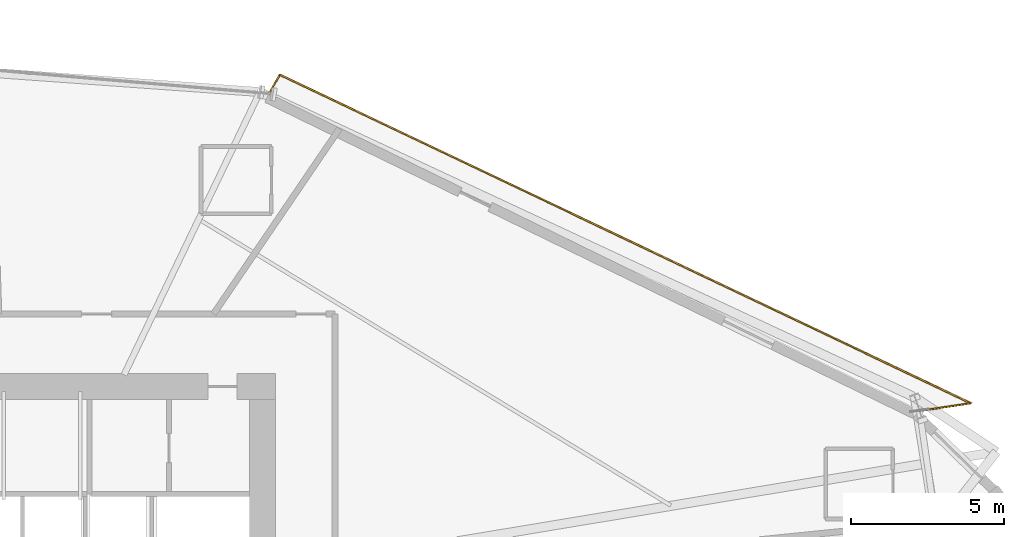
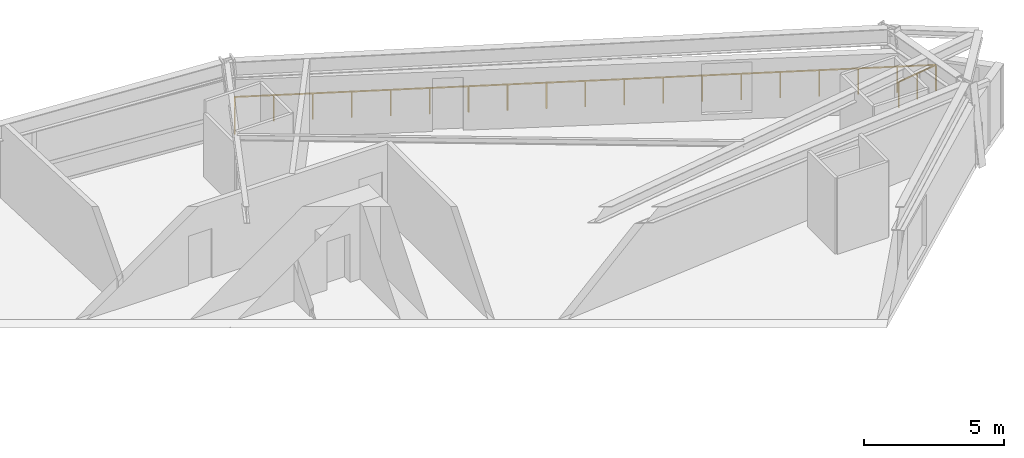
# One storey, part 21 of 21: 1 railing.
"""IFC4 building model written with IfcOpenShell, lengths in metres."""

from ifc_helpers import new_model, si_unit, direction, frame, origin, origin_2d, place, context, subcontext, project, spatial, rectangle, extrude, material, type_object, element, save


model = new_model("IFC4")

# Units and contexts
model_context = context("Model", 3, precision=1e-05, world=origin(), true_north=direction((0.0, 1.0)))
body_context = subcontext(model_context, "Body", "Model", "MODEL_VIEW")
ifc_project = project(units=[si_unit("LENGTHUNIT", "METRE"), si_unit("AREAUNIT", "SQUARE_METRE"), si_unit("VOLUMEUNIT", "CUBIC_METRE"), si_unit("PLANEANGLEUNIT", "RADIAN"), si_unit("MASSUNIT", "GRAM", prefix="KILO")], contexts=[model_context])

# Site, building, storey
site_placement = place(None, origin())
site = spatial("IfcSite", under=ifc_project, at=site_placement, CompositionType="ELEMENT")
building_placement = place(site_placement, origin())
building = spatial("IfcBuilding", under=site, at=building_placement, Name="Olszyna Solenne Hotel", CompositionType="ELEMENT")
storey_placement = place(building_placement, frame((0.0, 0.0, 68.35009765625)))
storey = spatial("IfcBuildingStorey", under=building, at=storey_placement, Name="L17", CompositionType="ELEMENT", Elevation=68.35009765625)

# Railing
ifc_material = material(Name="Anodised bronze aluminium", Category="aluminium")
railing_type = type_object("IfcRailingType", Name="GR-110", PredefinedType="BALUSTRADE", material=ifc_material)
railing_placement = place(storey_placement, frame((67.8466796875, 33.3212890625, 0.0)))
element("IfcRailing", 1, at=railing_placement, inside=storey, type_object=railing_type, Name="Loggia balcony balustrade guard GR-L17-LG1", PredefinedType="BALUSTRADE", context=body_context, shape_type="SweptSolid", body=[
    extrude(rectangle(XDim=0.048095703125, YDim=0.048095703125, at=origin_2d()), frame((0.0, 0.0, 1.1259765625), z_axis=(0.988956455442, 0.148206373813, 0.0), x_axis=(-0.148206373813, 0.988956455442, 0.0)), (0.0, 0.0, 1.0), 1.69189453125),
    extrude(rectangle(XDim=0.048095703125, YDim=0.048095703125, at=origin_2d()), frame((1.673095703125, 0.250732421875, 1.1259765625), z_axis=(-0.903074401944, 0.42948413772, 0.0), x_axis=(-0.42948413772, -0.903074401944, 0.0)), (0.0, 0.0, 1.0), 25.052734375),
    extrude(rectangle(XDim=0.048095703125, YDim=0.048095703125, at=origin_2d()), frame((-20.951416015625, 11.010498046875, 1.1259765625), z_axis=(-0.496361339407, -0.86811601802, 0.0), x_axis=(0.86811601802, -0.496361339407, 0.0)), (0.0, 0.0, 1.0), 0.709228515625),
    extrude(rectangle(XDim=0.0419921875, YDim=0.0419921875, at=origin_2d()), origin(), (0.0, 0.0, 1.0), 1.101806640625),
    extrude(rectangle(XDim=0.0419921875, YDim=0.0419921875, at=origin_2d()), frame((0.83642578125, 0.12548828125, 0.0)), (0.0, 0.0, 1.0), 1.101806640625),
    extrude(rectangle(XDim=0.0419921875, YDim=0.0419921875, at=origin_2d()), frame((1.673095703125, 0.250732421875, 0.0)), (0.0, 0.0, 1.0), 1.101806640625),
    extrude(rectangle(XDim=0.0419921875, YDim=0.0419921875, at=origin_2d()), frame((0.416259765625, 0.848388671875, 0.0)), (0.0, 0.0, 1.0), 1.101806640625),
    extrude(rectangle(XDim=0.0419921875, YDim=0.0419921875, at=origin_2d()), frame((-0.8408203125, 1.4462890625, 0.0)), (0.0, 0.0, 1.0), 1.101806640625),
    extrude(rectangle(XDim=0.0419921875, YDim=0.0419921875, at=origin_2d()), frame((-2.09765625, 2.0439453125, 0.0)), (0.0, 0.0, 1.0), 1.101806640625),
    extrude(rectangle(XDim=0.0419921875, YDim=0.0419921875, at=origin_2d()), frame((-3.3544921875, 2.641845703125, 0.0)), (0.0, 0.0, 1.0), 1.101806640625),
    extrude(rectangle(XDim=0.0419921875, YDim=0.0419921875, at=origin_2d()), frame((-4.611572265625, 3.239501953125, 0.0)), (0.0, 0.0, 1.0), 1.101806640625),
    extrude(rectangle(XDim=0.0419921875, YDim=0.0419921875, at=origin_2d()), frame((-5.868408203125, 3.83740234375, 0.0)), (0.0, 0.0, 1.0), 1.101806640625),
    extrude(rectangle(XDim=0.0419921875, YDim=0.0419921875, at=origin_2d()), frame((-7.125244140625, 4.43505859375, 0.0)), (0.0, 0.0, 1.0), 1.101806640625),
    extrude(rectangle(XDim=0.0419921875, YDim=0.0419921875, at=origin_2d()), frame((-8.38232421875, 5.032958984375, 0.0)), (0.0, 0.0, 1.0), 1.101806640625),
    extrude(rectangle(XDim=0.0419921875, YDim=0.0419921875, at=origin_2d()), frame((-9.63916015625, 5.630615234375, 0.0)), (0.0, 0.0, 1.0), 1.101806640625),
    extrude(rectangle(XDim=0.0419921875, YDim=0.0419921875, at=origin_2d()), frame((-10.89599609375, 6.228271484375, 0.0)), (0.0, 0.0, 1.0), 1.101806640625),
    extrude(rectangle(XDim=0.0419921875, YDim=0.0419921875, at=origin_2d()), frame((-12.153076171875, 6.826171875, 0.0)), (0.0, 0.0, 1.0), 1.101806640625),
    extrude(rectangle(XDim=0.0419921875, YDim=0.0419921875, at=origin_2d()), frame((-13.409912109375, 7.423828125, 0.0)), (0.0, 0.0, 1.0), 1.101806640625),
    extrude(rectangle(XDim=0.0419921875, YDim=0.0419921875, at=origin_2d()), frame((-14.666748046875, 8.021728515625, 0.0)), (0.0, 0.0, 1.0), 1.101806640625),
    extrude(rectangle(XDim=0.0419921875, YDim=0.0419921875, at=origin_2d()), frame((-15.923828125, 8.619384765625, 0.0)), (0.0, 0.0, 1.0), 1.101806640625),
    extrude(rectangle(XDim=0.0419921875, YDim=0.0419921875, at=origin_2d()), frame((-17.1806640625, 9.21728515625, 0.0)), (0.0, 0.0, 1.0), 1.101806640625),
    extrude(rectangle(XDim=0.0419921875, YDim=0.0419921875, at=origin_2d()), frame((-18.4375, 9.81494140625, 0.0)), (0.0, 0.0, 1.0), 1.101806640625),
    extrude(rectangle(XDim=0.0419921875, YDim=0.0419921875, at=origin_2d()), frame((-19.694580078125, 10.412841796875, 0.0)), (0.0, 0.0, 1.0), 1.101806640625),
    extrude(rectangle(XDim=0.0419921875, YDim=0.0419921875, at=origin_2d()), frame((-20.951416015625, 11.010498046875, 0.0)), (0.0, 0.0, 1.0), 1.101806640625),
    extrude(rectangle(XDim=0.0419921875, YDim=0.0419921875, at=origin_2d()), frame((-21.303466796875, 10.394775390625, 0.0)), (0.0, 0.0, 1.0), 1.101806640625),
])

save(model, "model.ifc")
